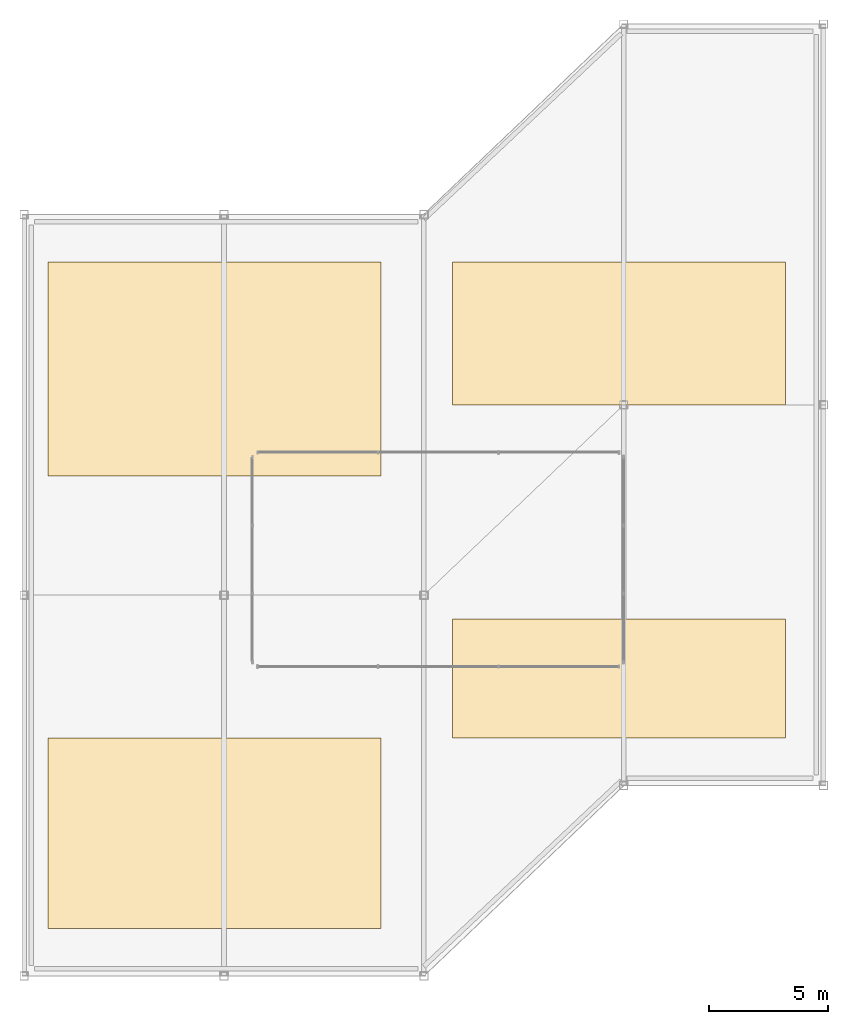
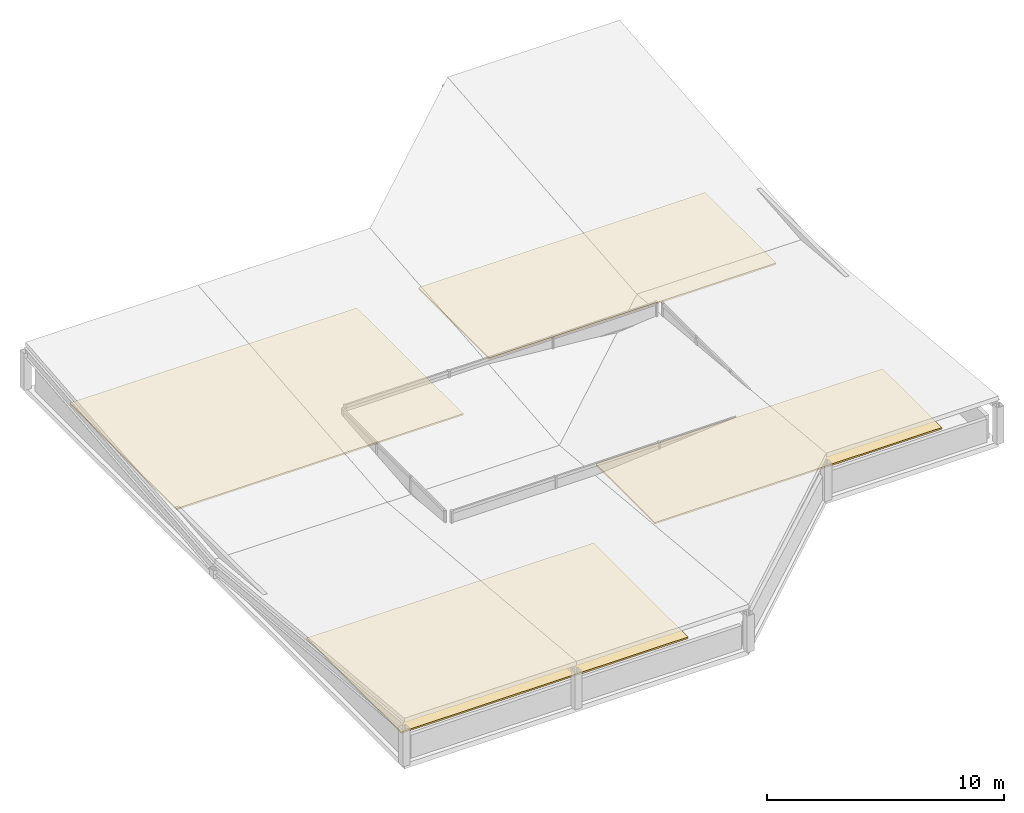
# One storey, part 5 of 5: 4 coverings.
"""IFC4 building model written with IfcOpenShell, lengths in metres."""

from ifc_helpers import new_model, si_unit, direction, frame, origin, place, context, subcontext, project, spatial, polyline, outline, extrude, material, layer, layer_set, type_object, element, save


model = new_model("IFC4")

# Units and contexts
model_context = context("Model", 3, precision=1e-05, world=origin(), true_north=direction((0.0, 1.0)))
body_context = subcontext(model_context, "Body", "Model", "MODEL_VIEW")
ifc_project = project(units=[si_unit("LENGTHUNIT", "METRE"), si_unit("AREAUNIT", "SQUARE_METRE"), si_unit("VOLUMEUNIT", "CUBIC_METRE"), si_unit("PLANEANGLEUNIT", "RADIAN"), si_unit("MASSUNIT", "GRAM", prefix="KILO")], contexts=[model_context])

# Site, building, storey
site_placement = place(None, origin())
site = spatial("IfcSite", under=ifc_project, at=site_placement, CompositionType="ELEMENT")
building_placement = place(site_placement, origin())
building = spatial("IfcBuilding", under=site, at=building_placement, Name="Naruveol Harbour Congress Hotel", CompositionType="ELEMENT")
storey_placement = place(building_placement, frame((0.0, 0.0, 51.60009765625)))
storey = spatial("IfcBuildingStorey", under=building, at=storey_placement, Name="RF", CompositionType="ELEMENT", Elevation=51.60009765625)

# Coverings
ifc_material = material(Name="TPO Waterproofing & Mineral Insulation", Category="insulation")
ifc_layer = layer(ifc_material, 0.080078125)
ifc_layer_set = layer_set([ifc_layer], Name="TPO Waterproofing & Mineral Insulation")
covering_type = type_object("IfcCoveringType", Name="INSULATED MEMBRANE ROOFING SYSTEM 80", PredefinedType="ROOFING", material=ifc_layer_set)
covering_1_placement = place(storey_placement, origin())
element("IfcCovering", 1, at=covering_1_placement, inside=storey, type_object=covering_type, Name="Insulated roof membrane covering #7", PredefinedType="ROOFING", context=body_context, shape_type="SweptSolid", body=[
    extrude(outline(polyline([(127.0, 2.0), (141.0, 2.0), (141.0, 10.0), (127.0, 10.0), (127.0, 2.0)])), origin(), (0.0, 0.0, 1.0), 0.079833984375),
])
covering_2_placement = place(storey_placement, origin())
element("IfcCovering", 2, at=covering_2_placement, inside=storey, type_object=covering_type, Name="Insulated roof membrane covering #8", PredefinedType="ROOFING", context=body_context, shape_type="SweptSolid", body=[
    extrude(outline(polyline([(127.0, 21.0), (141.0, 21.0), (141.0, 30.0), (127.0, 30.0), (127.0, 21.0)])), origin(), (0.0, 0.0, 1.0), 0.079833984375),
])
covering_3_placement = place(storey_placement, origin())
element("IfcCovering", 3, at=covering_3_placement, inside=storey, type_object=covering_type, Name="Insulated roof membrane covering #9", PredefinedType="ROOFING", context=body_context, shape_type="SweptSolid", body=[
    extrude(outline(polyline([(144.0, 10.0), (158.0, 10.0), (158.0, 15.0), (144.0, 15.0), (144.0, 10.0)])), origin(), (0.0, 0.0, 1.0), 0.079833984375),
])
covering_4_placement = place(storey_placement, origin())
element("IfcCovering", 4, at=covering_4_placement, inside=storey, type_object=covering_type, Name="Insulated roof membrane covering #10", PredefinedType="ROOFING", context=body_context, shape_type="SweptSolid", body=[
    extrude(outline(polyline([(144.0, 24.0), (158.0, 24.0), (158.0, 30.0), (144.0, 30.0), (144.0, 24.0)])), origin(), (0.0, 0.0, 1.0), 0.079833984375),
])

save(model, "model.ifc")
